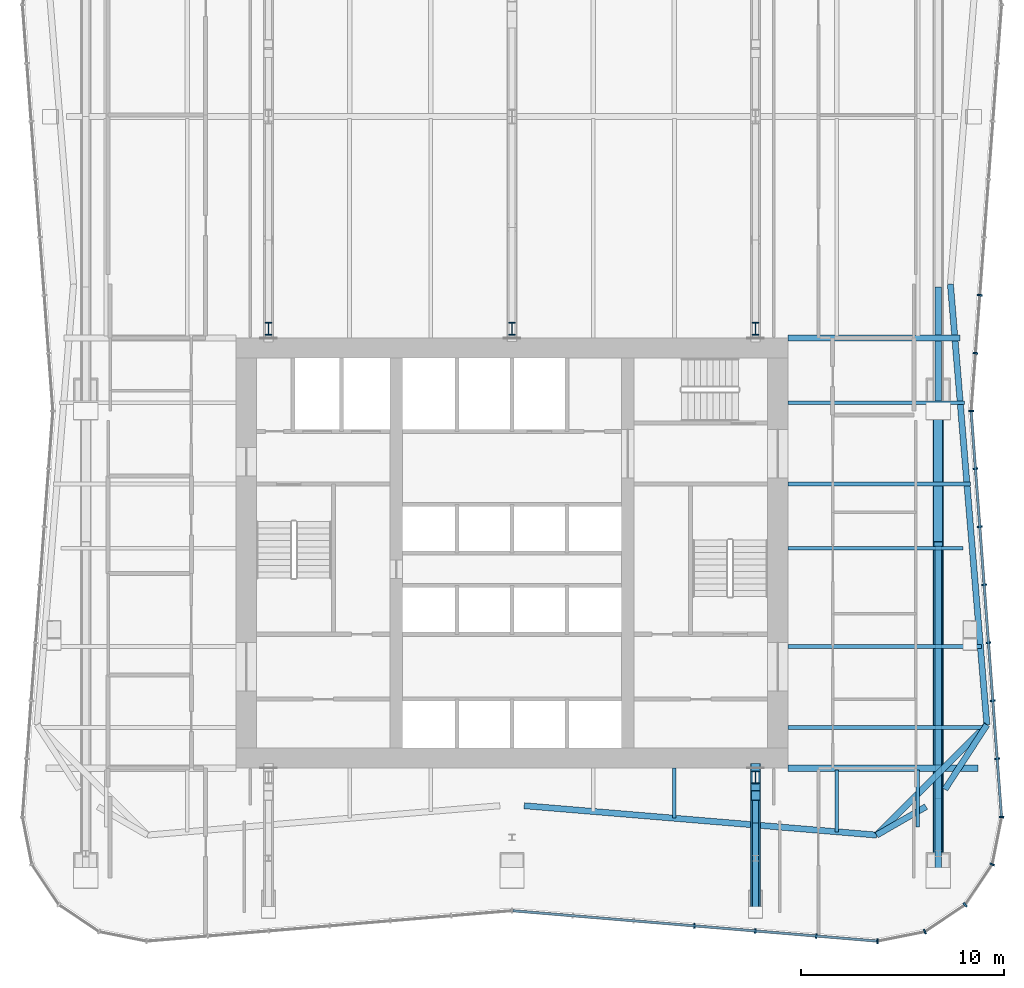
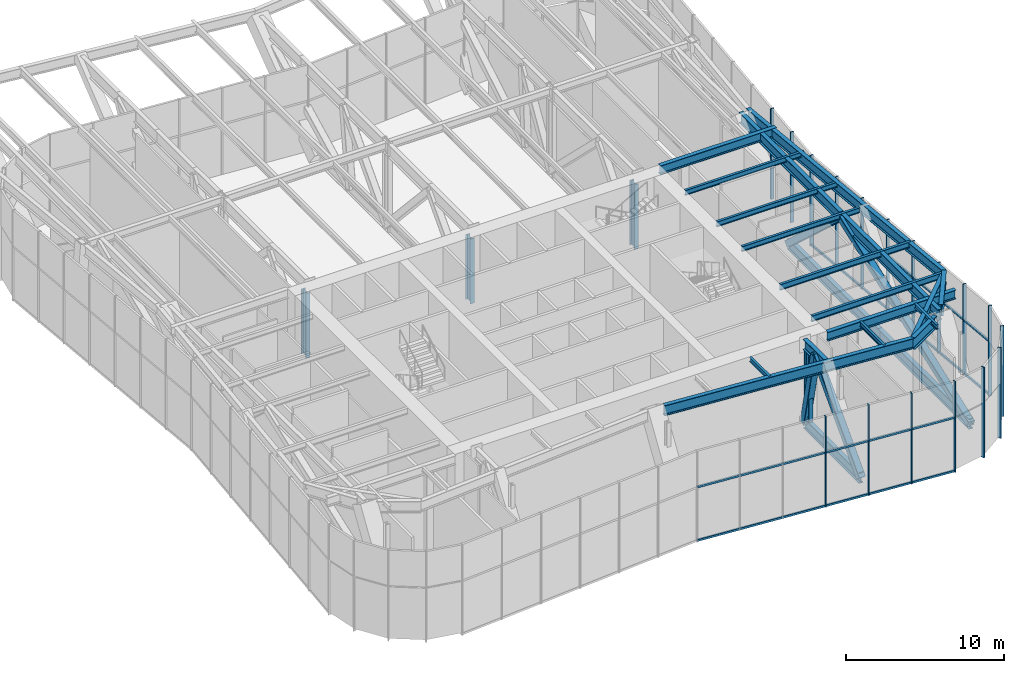
# One storey, part 5 of 16: 35 members, 15 beams, 3 elements without a shape of their own.
"""IFC4 building model written with IfcOpenShell, lengths in metres."""

from ifc_helpers import new_model, si_unit, direction, frame, origin, origin_2d, place, context, subcontext, project, spatial, rectangle, hollow_rectangle, i_section, extrude, material, material_profile, profile_set, type_object, element, aggregate, save


model = new_model("IFC4")

# Units and contexts
model_context = context("Model", 3, precision=1e-05, world=origin(), true_north=direction((0.0, 1.0)))
body_context = subcontext(model_context, "Body", "Model", "MODEL_VIEW")
ifc_project = project(units=[si_unit("LENGTHUNIT", "METRE"), si_unit("AREAUNIT", "SQUARE_METRE"), si_unit("VOLUMEUNIT", "CUBIC_METRE"), si_unit("PLANEANGLEUNIT", "RADIAN"), si_unit("MASSUNIT", "GRAM", prefix="KILO")], contexts=[model_context])

# Site, building, storey
site_placement = place(None, origin())
site = spatial("IfcSite", under=ifc_project, at=site_placement, CompositionType="ELEMENT")
building_placement = place(site_placement, origin())
building = spatial("IfcBuilding", under=site, at=building_placement, Name="Verdant Reach Tower", CompositionType="ELEMENT")
storey_placement = place(building_placement, frame((0.0, 0.0, 170.0)))
storey = spatial("IfcBuildingStorey", under=building, at=storey_placement, Name="L39 Plant", CompositionType="ELEMENT", Elevation=170.0)

# Curtain wall, members
ifc_material_1 = material(Name="Anodised aluminium", Category="aluminium")
curtain_wall_type = type_object("IfcCurtainWallType", Name="EN-CW SYSTEM PLANT", PredefinedType="NOTDEFINED", material=ifc_material_1)
curtain_wall_1_placement = place(storey_placement, origin())
curtain_wall_1 = element("IfcCurtainWall", 1, at=curtain_wall_1_placement, inside=storey, type_object=curtain_wall_type, Name="Curtain wall south-east corner, L39", PredefinedType="NOTDEFINED")
ifc_material_profile_1 = material_profile(ifc_material_1, rectangle(XDim=0.238037109375, YDim=0.080078125, at=origin_2d()), Name="Mullion 80x240")
ifc_profile_set_1 = profile_set([ifc_material_profile_1], Name="Anodised aluminium")
member_type_1 = type_object("IfcMemberType", Name="EN-MULLION PLANT", PredefinedType="MULLION", material=ifc_profile_set_1)
member_1_placement = place(storey_placement, frame((18.0068359375, 8.881103515625, -0.35009765625), z_axis=(0.0, 0.0, 1.0), x_axis=(0.056569187765, -0.998398681387, 0.0)))
member_1 = element("IfcMember", 2, at=member_1_placement, type_object=member_type_1, Name="Mullion south-east corner 1, L39", PredefinedType="MULLION", context=body_context, shape_type="SweptSolid", body=[
    extrude(rectangle(XDim=0.238037109375, YDim=0.080078125, at=origin_2d()), origin(), (0.0, 0.0, 1.0), 7.0),
])
member_2_placement = place(storey_placement, frame((20.341552734375, 9.3466796875, -0.35009765625), z_axis=(0.0, 0.0, 1.0), x_axis=(0.382693853776, -0.923875215753, 0.0)))
member_2 = element("IfcMember", 3, at=member_2_placement, type_object=member_type_1, Name="Mullion south-east corner 2, L39", PredefinedType="MULLION", context=body_context, shape_type="SweptSolid", body=[
    extrude(rectangle(XDim=0.238037109375, YDim=0.080078125, at=origin_2d()), origin(), (0.0, 0.0, 1.0), 7.0),
])
member_3_placement = place(storey_placement, frame((22.32666015625, 10.67333984375, -0.35009765625), z_axis=(0.0, 0.0, 1.0), x_axis=(0.707106781187, -0.707106781187, 0.0)))
member_3 = element("IfcMember", 4, at=member_3_placement, type_object=member_type_1, Name="Mullion south-east corner 3, L39", PredefinedType="MULLION", context=body_context, shape_type="SweptSolid", body=[
    extrude(rectangle(XDim=0.238037109375, YDim=0.080078125, at=origin_2d()), origin(), (0.0, 0.0, 1.0), 7.0),
])
member_4_placement = place(storey_placement, frame((23.6533203125, 12.658447265625, -0.35009765625), z_axis=(0.0, 0.0, 1.0), x_axis=(0.923875215753, -0.382693853776, 0.0)))
member_4 = element("IfcMember", 5, at=member_4_placement, type_object=member_type_1, Name="Mullion south-east corner 4, L39", PredefinedType="MULLION", context=body_context, shape_type="SweptSolid", body=[
    extrude(rectangle(XDim=0.238037109375, YDim=0.080078125, at=origin_2d()), origin(), (0.0, 0.0, 1.0), 7.0),
])
aggregate(curtain_wall_1, [member_1, member_2, member_3, member_4])

curtain_wall_2_placement = place(storey_placement, origin())
curtain_wall_2 = element("IfcCurtainWall", 6, at=curtain_wall_2_placement, inside=storey, type_object=curtain_wall_type, Name="Curtain wall east, L39", PredefinedType="NOTDEFINED")
member_5_placement = place(storey_placement, frame((24.118896484375, 14.99267578125, -0.35009765625), z_axis=(0.0, 0.0, 1.0), x_axis=(0.998155887542, -0.060702752526, 0.0)))
member_5 = element("IfcMember", 7, at=member_5_placement, type_object=member_type_1, Name="Mullion east face part 1 1, L39", PredefinedType="MULLION", context=body_context, shape_type="SweptSolid", body=[
    extrude(rectangle(XDim=0.238037109375, YDim=0.080078125, at=origin_2d()), origin(), (0.0, 0.0, 1.0), 7.0),
])
member_6_placement = place(storey_placement, frame((23.904296875, 17.865966796875, -0.35009765625), z_axis=(0.0, 0.0, 1.0), x_axis=(0.997199309888, 0.074789948245, 0.0)))
member_6 = element("IfcMember", 8, at=member_6_placement, type_object=member_type_1, Name="Mullion east face part 1 2, L39", PredefinedType="MULLION", context=body_context, shape_type="SweptSolid", body=[
    extrude(rectangle(XDim=0.238037109375, YDim=0.080078125, at=origin_2d()), origin(), (0.0, 0.0, 1.0), 7.0),
])
member_7_placement = place(storey_placement, frame((23.690185546875, 20.72314453125, -0.35009765625), z_axis=(0.0, 0.0, 1.0), x_axis=(0.997199309888, 0.074789948245, 0.0)))
member_7 = element("IfcMember", 9, at=member_7_placement, type_object=member_type_1, Name="Mullion east face part 1 3, L39", PredefinedType="MULLION", context=body_context, shape_type="SweptSolid", body=[
    extrude(rectangle(XDim=0.238037109375, YDim=0.080078125, at=origin_2d()), origin(), (0.0, 0.0, 1.0), 7.0),
])
member_8_placement = place(storey_placement, frame((23.475830078125, 23.580322265625, -0.35009765625), z_axis=(0.0, 0.0, 1.0), x_axis=(0.997199309888, 0.074789948245, 0.0)))
member_8 = element("IfcMember", 10, at=member_8_placement, type_object=member_type_1, Name="Mullion east face part 1 4, L39", PredefinedType="MULLION", context=body_context, shape_type="SweptSolid", body=[
    extrude(rectangle(XDim=0.238037109375, YDim=0.080078125, at=origin_2d()), origin(), (0.0, 0.0, 1.0), 7.0),
])
member_9_placement = place(storey_placement, frame((23.261474609375, 26.4375, -0.35009765625), z_axis=(0.0, 0.0, 1.0), x_axis=(0.997199309888, 0.074789948245, 0.0)))
member_9 = element("IfcMember", 11, at=member_9_placement, type_object=member_type_1, Name="Mullion east face part 1 5, L39", PredefinedType="MULLION", context=body_context, shape_type="SweptSolid", body=[
    extrude(rectangle(XDim=0.238037109375, YDim=0.080078125, at=origin_2d()), origin(), (0.0, 0.0, 1.0), 7.0),
])
member_10_placement = place(storey_placement, frame((23.047119140625, 29.294677734375, -0.35009765625), z_axis=(0.0, 0.0, 1.0), x_axis=(0.997199309888, 0.074789948245, 0.0)))
member_10 = element("IfcMember", 12, at=member_10_placement, type_object=member_type_1, Name="Mullion east face part 1 6, L39", PredefinedType="MULLION", context=body_context, shape_type="SweptSolid", body=[
    extrude(rectangle(XDim=0.238037109375, YDim=0.080078125, at=origin_2d()), origin(), (0.0, 0.0, 1.0), 7.0),
])
member_11_placement = place(storey_placement, frame((22.8330078125, 32.15185546875, -0.35009765625), z_axis=(0.0, 0.0, 1.0), x_axis=(0.997199309888, 0.074789948245, 0.0)))
member_11 = element("IfcMember", 13, at=member_11_placement, type_object=member_type_1, Name="Mullion east face part 1 7, L39", PredefinedType="MULLION", context=body_context, shape_type="SweptSolid", body=[
    extrude(rectangle(XDim=0.238037109375, YDim=0.080078125, at=origin_2d()), origin(), (0.0, 0.0, 1.0), 7.0),
])
member_12_placement = place(storey_placement, frame((22.618896484375, 35.0, -0.35009765625), z_axis=(0.0, 0.0, 1.0), x_axis=(1.0, 0.0, 0.0)))
member_12 = element("IfcMember", 14, at=member_12_placement, type_object=member_type_1, Name="Mullion east face part 2 1, L39", PredefinedType="MULLION", context=body_context, shape_type="SweptSolid", body=[
    extrude(rectangle(XDim=0.238037109375, YDim=0.080078125, at=origin_2d()), origin(), (0.0, 0.0, 1.0), 7.0),
])
member_13_placement = place(storey_placement, frame((22.8330078125, 37.84814453125, -0.35009765625), z_axis=(0.0, 0.0, 1.0), x_axis=(0.997199309888, -0.074789948245, 0.0)))
member_13 = element("IfcMember", 15, at=member_13_placement, type_object=member_type_1, Name="Mullion east face part 2 2, L39", PredefinedType="MULLION", context=body_context, shape_type="SweptSolid", body=[
    extrude(rectangle(XDim=0.238037109375, YDim=0.080078125, at=origin_2d()), origin(), (0.0, 0.0, 1.0), 7.0),
])
member_14_placement = place(storey_placement, frame((23.047119140625, 40.705322265625, -0.35009765625), z_axis=(0.0, 0.0, 1.0), x_axis=(0.997199309888, -0.074789948245, 0.0)))
member_14 = element("IfcMember", 16, at=member_14_placement, type_object=member_type_1, Name="Mullion east face part 2 3, L39", PredefinedType="MULLION", context=body_context, shape_type="SweptSolid", body=[
    extrude(rectangle(XDim=0.238037109375, YDim=0.080078125, at=origin_2d()), origin(), (0.0, 0.0, 1.0), 7.0),
])

curtain_wall_3_placement = place(storey_placement, origin())
curtain_wall_3 = element("IfcCurtainWall", 17, at=curtain_wall_3_placement, inside=storey, type_object=curtain_wall_type, Name="Curtain wall south, L39", PredefinedType="NOTDEFINED")
member_15_placement = place(storey_placement, frame((8.990234375, 9.63134765625, -0.35009765625), z_axis=(0.0, 0.0, 1.0), x_axis=(-0.083045479859, -0.996545758244, 0.0)))
member_15 = element("IfcMember", 18, at=member_15_placement, type_object=member_type_1, Name="Mullion south face part 2 4, L39", PredefinedType="MULLION", context=body_context, shape_type="SweptSolid", body=[
    extrude(rectangle(XDim=0.238037109375, YDim=0.080078125, at=origin_2d()), origin(), (0.0, 0.0, 1.0), 7.0),
])
member_16_placement = place(storey_placement, frame((11.990234375, 9.38134765625, -0.35009765625), z_axis=(0.0, 0.0, 1.0), x_axis=(-0.083045479859, -0.996545758244, 0.0)))
member_16 = element("IfcMember", 19, at=member_16_placement, type_object=member_type_1, Name="Mullion south face part 2 5, L39", PredefinedType="MULLION", context=body_context, shape_type="SweptSolid", body=[
    extrude(rectangle(XDim=0.238037109375, YDim=0.080078125, at=origin_2d()), origin(), (0.0, 0.0, 1.0), 7.0),
])
member_17_placement = place(storey_placement, frame((14.990234375, 9.13134765625, -0.35009765625), z_axis=(0.0, 0.0, 1.0), x_axis=(-0.083045479859, -0.996545758244, 0.0)))
member_17 = element("IfcMember", 20, at=member_17_placement, type_object=member_type_1, Name="Mullion south face part 2 6, L39", PredefinedType="MULLION", context=body_context, shape_type="SweptSolid", body=[
    extrude(rectangle(XDim=0.238037109375, YDim=0.080078125, at=origin_2d()), origin(), (0.0, 0.0, 1.0), 7.0),
])

# Member
ifc_material_profile_2 = material_profile(ifc_material_1, rectangle(XDim=0.1201171875, YDim=0.14990234375, at=origin_2d()), Name="Transom 150x120")
ifc_profile_set_2 = profile_set([ifc_material_profile_2], Name="Anodised aluminium")
member_type_2 = type_object("IfcMemberType", Name="EN-TRANSOM PLANT", PredefinedType="USERDEFINED", material=ifc_profile_set_2)
member_18_placement = place(storey_placement, frame((24.11572265625, 15.03271484375, -0.27490234375), z_axis=(-0.074744693734, 0.997202702944, 0.0), x_axis=(-0.997202702944, -0.074744693734, 0.0)))
member_18 = element("IfcMember", 21, at=member_18_placement, type_object=member_type_2, Name="Transom east face part 1 1.1, L39", ObjectType="TRANSOM", PredefinedType="USERDEFINED", context=body_context, shape_type="SweptSolid", body=[
    extrude(rectangle(XDim=0.1201171875, YDim=0.14990234375, at=origin_2d()), origin(), (0.0, 0.0, 1.0), 19.9833984375),
])

member_19_placement = place(storey_placement, frame((24.11572265625, 15.03271484375, 3.85009765625), z_axis=(-0.074744693734, 0.997202702944, 0.0), x_axis=(-0.997202702944, -0.074744693734, 0.0)))
member_19 = element("IfcMember", 22, at=member_19_placement, type_object=member_type_2, Name="Transom east face part 1 1.2, L39", ObjectType="TRANSOM", PredefinedType="USERDEFINED", context=body_context, shape_type="SweptSolid", body=[
    extrude(rectangle(XDim=0.1201171875, YDim=0.14990234375, at=origin_2d()), origin(), (0.0, 0.0, 1.0), 19.9833984375),
])

aggregate(curtain_wall_2, [member_5, member_6, member_7, member_8, member_9, member_10, member_11, member_18, member_19, member_12, member_13, member_14])

member_20_placement = place(storey_placement, frame((0.039794921875, 10.377685546875, -0.27490234375), z_axis=(0.996549220477, -0.083003922598, 0.0), x_axis=(0.083003922598, 0.996549220477, 0.0)))
member_20 = element("IfcMember", 23, at=member_20_placement, type_object=member_type_2, Name="Transom south face part 2 1.1, L39", ObjectType="TRANSOM", PredefinedType="USERDEFINED", context=body_context, shape_type="SweptSolid", body=[
    extrude(rectangle(XDim=0.1201171875, YDim=0.14990234375, at=origin_2d()), origin(), (0.0, 0.0, 1.0), 17.989013671875),
])

member_21_placement = place(storey_placement, frame((0.039794921875, 10.377685546875, 3.85009765625), z_axis=(0.996549220477, -0.083003922598, 0.0), x_axis=(0.083003922598, 0.996549220477, 0.0)))
member_21 = element("IfcMember", 24, at=member_21_placement, type_object=member_type_2, Name="Transom south face part 2 1.2, L39", ObjectType="TRANSOM", PredefinedType="USERDEFINED", context=body_context, shape_type="SweptSolid", body=[
    extrude(rectangle(XDim=0.1201171875, YDim=0.14990234375, at=origin_2d()), origin(), (0.0, 0.0, 1.0), 17.989013671875),
])

aggregate(curtain_wall_3, [member_15, member_16, member_17, member_20, member_21])

# Beams
ifc_material_2 = material(Name="Steel S355", Category="steel")
ifc_material_profile_3 = material_profile(ifc_material_2, i_section(OverallWidth=0.300048828125, OverallDepth=0.699951171875, WebThickness=0.01708984375, FlangeThickness=0.031982421875, FilletRadius=0.027099609375, at=origin_2d()), Name="HEB 700")
ifc_profile_set_3 = profile_set([ifc_material_profile_3], Name="Steel S355")
beam_type_1 = type_object("IfcBeamType", Name="ST-BEAM-HEB700", PredefinedType="BEAM", material=ifc_profile_set_3)
beam_1_placement = place(storey_placement, frame((13.60009765625, 38.60009765625, 6.52001953125), z_axis=(1.0, 0.0, 0.0), x_axis=(0.0, 1.0, 0.0)))
element("IfcBeam", 25, at=beam_1_placement, inside=storey, type_object=beam_type_1, Name="Trimmer beam, L39 Plant", PredefinedType="BEAM", context=body_context, shape_type="SweptSolid", body=[
    extrude(i_section(OverallWidth=0.300048828125, OverallDepth=0.699951171875, WebThickness=0.01708984375, FlangeThickness=0.031982421875, FilletRadius=0.027099609375, at=origin_2d()), origin(), (0.0, 0.0, 1.0), 8.481201171875),
])
beam_2_placement = place(storey_placement, frame((13.60009765625, 17.39990234375, 6.52001953125), z_axis=(1.0, 0.0, 0.0), x_axis=(0.0, 1.0, 0.0)))
element("IfcBeam", 26, at=beam_2_placement, inside=storey, type_object=beam_type_1, Name="Trimmer beam, L39 Plant", PredefinedType="BEAM", context=body_context, shape_type="SweptSolid", body=[
    extrude(i_section(OverallWidth=0.300048828125, OverallDepth=0.699951171875, WebThickness=0.01708984375, FlangeThickness=0.031982421875, FilletRadius=0.027099609375, at=origin_2d()), origin(), (0.0, 0.0, 1.0), 9.3525390625),
])
ifc_material_profile_4 = material_profile(ifc_material_2, i_section(OverallWidth=0.302001953125, OverallDepth=0.909912109375, WebThickness=0.02099609375, FlangeThickness=0.0400390625, FilletRadius=0.030029296875, at=origin_2d()), Name="HEM 900")
ifc_profile_set_4 = profile_set([ifc_material_profile_4], Name="Steel S355")
beam_type_2 = type_object("IfcBeamType", Name="ST-BEAM-HEM900", PredefinedType="BEAM", material=ifc_profile_set_4)
beam_3_placement = place(storey_placement, frame((20.39990234375, 15.505859375, 6.4150390625), z_axis=(-0.866709015809, -0.498814075498, 0.0), x_axis=(0.498814075498, -0.866709015809, 0.0)))
element("IfcBeam", 27, at=beam_3_placement, inside=storey, type_object=beam_type_2, Name="Column stub beam, L39 Plant", PredefinedType="BEAM", context=body_context, shape_type="SweptSolid", body=[
    extrude(i_section(OverallWidth=0.302001953125, OverallDepth=0.909912109375, WebThickness=0.02099609375, FlangeThickness=0.0400390625, FilletRadius=0.030029296875, at=origin_2d()), origin(), (0.0, 0.0, 1.0), 2.808349609375),
])
beam_4_placement = place(storey_placement, frame((21.329345703125, 16.35791015625, 6.4150390625), z_axis=(0.54484355114, 0.838537718163, 0.0), x_axis=(-0.838537718163, 0.54484355114, 0.0)))
element("IfcBeam", 28, at=beam_4_placement, inside=storey, type_object=beam_type_2, Name="Column stub beam, L39 Plant", PredefinedType="BEAM", context=body_context, shape_type="SweptSolid", body=[
    extrude(i_section(OverallWidth=0.302001953125, OverallDepth=0.909912109375, WebThickness=0.02099609375, FlangeThickness=0.0400390625, FilletRadius=0.030029296875, at=origin_2d()), origin(), (0.0, 0.0, 1.0), 3.793212890625),
])
ifc_material_profile_5 = material_profile(ifc_material_2, i_section(OverallWidth=0.169921875, OverallDepth=0.360107421875, WebThickness=0.008056640625, FlangeThickness=0.0126953125, FilletRadius=0.01806640625, at=origin_2d()), Name="IPE 360")
ifc_profile_set_5 = profile_set([ifc_material_profile_5], Name="Steel S355")
beam_type_3 = type_object("IfcBeamType", Name="ST-JOIST-IPE360", PredefinedType="JOIST", material=ifc_profile_set_5)
beam_5_placement = place(storey_placement, frame((8.0, 17.39990234375, 6.68994140625), z_axis=(0.0, -1.0, 0.0), x_axis=(1.0, 0.0, 0.0)))
element("IfcBeam", 29, at=beam_5_placement, inside=storey, type_object=beam_type_3, Name="Floor joist, L39 Plant", PredefinedType="JOIST", context=body_context, shape_type="SweptSolid", body=[
    extrude(i_section(OverallWidth=0.169921875, OverallDepth=0.360107421875, WebThickness=0.008056640625, FlangeThickness=0.0126953125, FilletRadius=0.01806640625, at=origin_2d()), origin(), (0.0, 0.0, 1.0), 2.464599609375),
])
beam_6_placement = place(storey_placement, frame((16.0, 17.300048828125, 6.68994140625), z_axis=(0.0, -1.0, 0.0), x_axis=(1.0, 0.0, 0.0)))
element("IfcBeam", 30, at=beam_6_placement, inside=storey, type_object=beam_type_3, Name="Floor joist, L39 Plant", PredefinedType="JOIST", context=body_context, shape_type="SweptSolid", body=[
    extrude(i_section(OverallWidth=0.169921875, OverallDepth=0.360107421875, WebThickness=0.008056640625, FlangeThickness=0.0126953125, FilletRadius=0.01806640625, at=origin_2d()), origin(), (0.0, 0.0, 1.0), 3.03125),
])
beam_7_placement = place(storey_placement, frame((20.0, 17.300048828125, 6.68994140625), z_axis=(0.0, -1.0, 0.0), x_axis=(1.0, 0.0, 0.0)))
element("IfcBeam", 31, at=beam_7_placement, inside=storey, type_object=beam_type_3, Name="Floor joist, L39 Plant", PredefinedType="JOIST", context=body_context, shape_type="SweptSolid", body=[
    extrude(i_section(OverallWidth=0.169921875, OverallDepth=0.360107421875, WebThickness=0.008056640625, FlangeThickness=0.0126953125, FilletRadius=0.01806640625, at=origin_2d()), origin(), (0.0, 0.0, 1.0), 2.79052734375),
])
ifc_material_profile_6 = material_profile(ifc_material_2, i_section(OverallWidth=0.179931640625, OverallDepth=0.39990234375, WebThickness=0.008544921875, FlangeThickness=0.013427734375, FilletRadius=0.02099609375, at=origin_2d()), Name="IPE 400")
ifc_profile_set_6 = profile_set([ifc_material_profile_6], Name="Steel S355")
beam_type_4 = type_object("IfcBeamType", Name="ST-JOIST-IPE400", PredefinedType="JOIST", material=ifc_profile_set_6)
beam_8_placement = place(storey_placement, frame((13.60009765625, 28.239990234375, 6.669921875), z_axis=(1.0, 0.0, 0.0), x_axis=(0.0, 1.0, 0.0)))
element("IfcBeam", 32, at=beam_8_placement, inside=storey, type_object=beam_type_4, Name="Floor joist, L39 Plant", PredefinedType="JOIST", context=body_context, shape_type="SweptSolid", body=[
    extrude(i_section(OverallWidth=0.179931640625, OverallDepth=0.39990234375, WebThickness=0.008544921875, FlangeThickness=0.013427734375, FilletRadius=0.02099609375, at=origin_2d()), origin(), (0.0, 0.0, 1.0), 8.62841796875),
])
beam_9_placement = place(storey_placement, frame((13.60009765625, 31.39990234375, 6.669921875), z_axis=(1.0, 0.0, 0.0), x_axis=(0.0, 1.0, 0.0)))
element("IfcBeam", 33, at=beam_9_placement, inside=storey, type_object=beam_type_4, Name="Floor joist, L39 Plant", PredefinedType="JOIST", context=body_context, shape_type="SweptSolid", body=[
    extrude(i_section(OverallWidth=0.179931640625, OverallDepth=0.39990234375, WebThickness=0.008544921875, FlangeThickness=0.013427734375, FilletRadius=0.02099609375, at=origin_2d()), origin(), (0.0, 0.0, 1.0), 8.977783203125),
])
beam_10_placement = place(storey_placement, frame((13.60009765625, 35.39990234375, 6.669921875), z_axis=(1.0, 0.0, 0.0), x_axis=(0.0, 1.0, 0.0)))
element("IfcBeam", 34, at=beam_10_placement, inside=storey, type_object=beam_type_4, Name="Floor joist, L39 Plant", PredefinedType="JOIST", context=body_context, shape_type="SweptSolid", body=[
    extrude(i_section(OverallWidth=0.179931640625, OverallDepth=0.39990234375, WebThickness=0.008544921875, FlangeThickness=0.013427734375, FilletRadius=0.02099609375, at=origin_2d()), origin(), (0.0, 0.0, 1.0), 8.701904296875),
])
ifc_material_profile_7 = material_profile(ifc_material_2, i_section(OverallWidth=0.18994140625, OverallDepth=0.449951171875, WebThickness=0.009521484375, FlangeThickness=0.0146484375, FilletRadius=0.02099609375, at=origin_2d()), Name="IPE 450")
ifc_profile_set_7 = profile_set([ifc_material_profile_7], Name="Steel S355")
beam_type_5 = type_object("IfcBeamType", Name="ST-JOIST-IPE450", PredefinedType="JOIST", material=ifc_profile_set_7)
beam_11_placement = place(storey_placement, frame((13.60009765625, 19.39990234375, 6.64501953125), z_axis=(1.0, 0.0, 0.0), x_axis=(0.0, 1.0, 0.0)))
element("IfcBeam", 35, at=beam_11_placement, inside=storey, type_object=beam_type_5, Name="Floor joist, L39 Plant", PredefinedType="JOIST", context=body_context, shape_type="SweptSolid", body=[
    extrude(i_section(OverallWidth=0.18994140625, OverallDepth=0.449951171875, WebThickness=0.009521484375, FlangeThickness=0.0146484375, FilletRadius=0.02099609375, at=origin_2d()), origin(), (0.0, 0.0, 1.0), 9.768310546875),
])
beam_12_placement = place(storey_placement, frame((13.60009765625, 23.39990234375, 6.64501953125), z_axis=(1.0, 0.0, 0.0), x_axis=(0.0, 1.0, 0.0)))
element("IfcBeam", 36, at=beam_12_placement, inside=storey, type_object=beam_type_5, Name="Floor joist, L39 Plant", PredefinedType="JOIST", context=body_context, shape_type="SweptSolid", body=[
    extrude(i_section(OverallWidth=0.18994140625, OverallDepth=0.449951171875, WebThickness=0.009521484375, FlangeThickness=0.0146484375, FilletRadius=0.02099609375, at=origin_2d()), origin(), (0.0, 0.0, 1.0), 9.529541015625),
])
ifc_material_profile_8 = material_profile(ifc_material_2, i_section(OverallWidth=0.300048828125, OverallDepth=0.800048828125, WebThickness=0.017578125, FlangeThickness=0.032958984375, FilletRadius=0.030029296875, at=origin_2d()), Name="HEB 800")
ifc_profile_set_8 = profile_set([ifc_material_profile_8], Name="Steel S355")
beam_type_6 = type_object("IfcBeamType", Name="ST-SPANDREL-HEB800", PredefinedType="SPANDREL", material=ifc_profile_set_8)
beam_13_placement = place(storey_placement, frame((17.9658203125, 14.10498046875, 6.469970703125), z_axis=(-0.996546337953, 0.083038523057, 0.0), x_axis=(-0.083038523057, -0.996546337953, 0.0)))
element("IfcBeam", 37, at=beam_13_placement, inside=storey, type_object=beam_type_6, Name="Edge beam, L39 Plant", PredefinedType="SPANDREL", context=body_context, shape_type="SweptSolid", body=[
    extrude(i_section(OverallWidth=0.300048828125, OverallDepth=0.800048828125, WebThickness=0.017578125, FlangeThickness=0.032958984375, FilletRadius=0.030029296875, at=origin_2d()), origin(), (0.0, 0.0, 1.0), 17.426025390625),
])
beam_14_placement = place(storey_placement, frame((21.60009765625, 41.25, 6.469970703125), z_axis=(0.082435210935, -0.99659642584, 0.0), x_axis=(0.99659642584, 0.082435210935, 0.0)))
element("IfcBeam", 38, at=beam_14_placement, inside=storey, type_object=beam_type_6, Name="Edge beam, L39 Plant", PredefinedType="SPANDREL", context=body_context, shape_type="SweptSolid", body=[
    extrude(i_section(OverallWidth=0.300048828125, OverallDepth=0.800048828125, WebThickness=0.017578125, FlangeThickness=0.032958984375, FilletRadius=0.030029296875, at=origin_2d()), origin(), (0.0, 0.0, 1.0), 21.78564453125),
])
ifc_material_profile_9 = material_profile(ifc_material_2, i_section(OverallWidth=0.302001953125, OverallDepth=0.909912109375, WebThickness=0.02099609375, FlangeThickness=0.0400390625, FilletRadius=0.030029296875, at=origin_2d()), Name="HEM 900")
ifc_profile_set_9 = profile_set([ifc_material_profile_9], Name="Steel S355")
beam_type_7 = type_object("IfcBeamType", Name="ST-SPANDREL-HEM900", PredefinedType="SPANDREL", material=ifc_profile_set_9)
beam_15_placement = place(storey_placement, frame((23.39599609375, 19.53857421875, 6.4150390625), z_axis=(-0.706884275642, -0.707329216738, 0.0), x_axis=(0.707329216738, -0.706884275642, 0.0)))
element("IfcBeam", 39, at=beam_15_placement, inside=storey, type_object=beam_type_7, Name="Edge beam, L39 Plant", PredefinedType="SPANDREL", context=body_context, shape_type="SweptSolid", body=[
    extrude(i_section(OverallWidth=0.302001953125, OverallDepth=0.909912109375, WebThickness=0.02099609375, FlangeThickness=0.0400390625, FilletRadius=0.030029296875, at=origin_2d()), origin(), (0.0, 0.0, 1.0), 7.681884765625),
])

# Members
ifc_material_3 = material(Name="Steel S460", Category="steel")
ifc_material_profile_10 = material_profile(ifc_material_3, hollow_rectangle(XDim=0.5, YDim=0.5, WallThickness=0.02490234375, InnerFilletRadius=0.02490234375, OuterFilletRadius=0.050048828125, at=origin_2d()), Name="RHS 500x500x25")
ifc_profile_set_10 = profile_set([ifc_material_profile_10], Name="Steel S460")
member_type_3 = type_object("IfcMemberType", Name="ST-TRUSS-BRACE-RHS500x500x25", PredefinedType="BRACE", material=ifc_profile_set_10)
member_22_placement = place(storey_placement, frame((12.0, 17.39990234375, 0.406982421875), z_axis=(0.0, -0.217522043866, 0.976055408485), x_axis=(1.0, 0.0, 0.0)))
element("IfcMember", 40, at=member_22_placement, inside=storey, type_object=member_type_3, Name="Outrigger truss E south, diagonal, L39 Plant", PredefinedType="BRACE", context=body_context, shape_type="SweptSolid", body=[
    extrude(hollow_rectangle(XDim=0.5, YDim=0.5, WallThickness=0.02490234375, InnerFilletRadius=0.02490234375, OuterFilletRadius=0.050048828125, at=origin_2d()), origin(), (0.0, 0.0, 1.0), 6.20458984375),
])
member_23_placement = place(storey_placement, frame((12.0, 16.05029296875, 6.462890625), z_axis=(0.0, -0.688245828405, -0.725477552846), x_axis=(1.0, 0.0, 0.0)))
element("IfcMember", 41, at=member_23_placement, inside=storey, type_object=member_type_3, Name="Outrigger truss E south, diagonal, L39 Plant", PredefinedType="BRACE", context=body_context, shape_type="SweptSolid", body=[
    extrude(hollow_rectangle(XDim=0.5, YDim=0.5, WallThickness=0.02490234375, InnerFilletRadius=0.02490234375, OuterFilletRadius=0.050048828125, at=origin_2d()), origin(), (0.0, 0.0, 1.0), 8.347412109375),
])
member_24_placement = place(storey_placement, frame((21.0, 12.00439453125, 0.406982421875), z_axis=(0.0, 0.937983730031, 0.346679278581), x_axis=(-1.0, 0.0, 0.0)))
element("IfcMember", 42, at=member_24_placement, inside=storey, type_object=member_type_3, Name="Transfer truss F east, diagonal, L39 Plant", PredefinedType="BRACE", context=body_context, shape_type="SweptSolid", body=[
    extrude(hollow_rectangle(XDim=0.5, YDim=0.5, WallThickness=0.02490234375, InnerFilletRadius=0.02490234375, OuterFilletRadius=0.050048828125, at=origin_2d()), origin(), (0.0, 0.0, 1.0), 17.46826171875),
])
member_25_placement = place(storey_placement, frame((21.0, 28.389404296875, 6.462890625), z_axis=(0.0, 0.737725521806, -0.675100773571), x_axis=(-1.0, 0.0, 0.0)))
element("IfcMember", 43, at=member_25_placement, inside=storey, type_object=member_type_3, Name="Transfer truss F east, diagonal, L39 Plant", PredefinedType="BRACE", context=body_context, shape_type="SweptSolid", body=[
    extrude(hollow_rectangle(XDim=0.5, YDim=0.5, WallThickness=0.02490234375, InnerFilletRadius=0.02490234375, OuterFilletRadius=0.050048828125, at=origin_2d()), origin(), (0.0, 0.0, 1.0), 8.970458984375),
])
ifc_material_profile_11 = material_profile(ifc_material_3, i_section(OverallWidth=0.302978515625, OverallDepth=0.81396484375, WebThickness=0.02099609375, FlangeThickness=0.0400390625, FilletRadius=0.030029296875, at=origin_2d()), Name="HEM 800")
ifc_profile_set_11 = profile_set([ifc_material_profile_11], Name="Steel S460")
member_type_4 = type_object("IfcMemberType", Name="ST-TRUSS-CHORD-HEM800", PredefinedType="CHORD", material=ifc_profile_set_11)
member_26_placement = place(storey_placement, frame((12.0, 17.39990234375, 6.462890625), z_axis=(0.0, -1.0, 0.0), x_axis=(1.0, 0.0, 0.0)))
element("IfcMember", 44, at=member_26_placement, inside=storey, type_object=member_type_4, Name="Outrigger truss E south, top chord, L39 Plant", PredefinedType="CHORD", context=body_context, shape_type="SweptSolid", body=[
    extrude(i_section(OverallWidth=0.302978515625, OverallDepth=0.81396484375, WebThickness=0.02099609375, FlangeThickness=0.0400390625, FilletRadius=0.030029296875, at=origin_2d()), origin(), (0.0, 0.0, 1.0), 2.69921875),
])
member_27_placement = place(storey_placement, frame((12.0, 17.39990234375, 0.406982421875), z_axis=(0.0, -1.0, 0.0), x_axis=(1.0, 0.0, 0.0)))
element("IfcMember", 45, at=member_27_placement, inside=storey, type_object=member_type_4, Name="Outrigger truss E south, bottom chord, L39 Plant", PredefinedType="CHORD", context=body_context, shape_type="SweptSolid", body=[
    extrude(i_section(OverallWidth=0.302978515625, OverallDepth=0.81396484375, WebThickness=0.02099609375, FlangeThickness=0.0400390625, FilletRadius=0.030029296875, at=origin_2d()), origin(), (0.0, 0.0, 1.0), 7.0947265625),
])
member_28_placement = place(storey_placement, frame((21.0, 15.91162109375, 6.462890625), z_axis=(0.0, 1.0, 0.0), x_axis=(-1.0, 0.0, 0.0)))
element("IfcMember", 46, at=member_28_placement, inside=storey, type_object=member_type_4, Name="Transfer truss F east, top chord, L39 Plant", PredefinedType="CHORD", context=body_context, shape_type="SweptSolid", body=[
    extrude(i_section(OverallWidth=0.302978515625, OverallDepth=0.81396484375, WebThickness=0.02099609375, FlangeThickness=0.0400390625, FilletRadius=0.030029296875, at=origin_2d()), origin(), (0.0, 0.0, 1.0), 12.477783203125),
])
member_29_placement = place(storey_placement, frame((21.0, 12.00439453125, 0.406982421875), z_axis=(0.0, 1.0, 0.0), x_axis=(-1.0, 0.0, 0.0)))
element("IfcMember", 47, at=member_29_placement, inside=storey, type_object=member_type_4, Name="Transfer truss F east, bottom chord, L39 Plant", PredefinedType="CHORD", context=body_context, shape_type="SweptSolid", body=[
    extrude(i_section(OverallWidth=0.302978515625, OverallDepth=0.81396484375, WebThickness=0.02099609375, FlangeThickness=0.0400390625, FilletRadius=0.030029296875, at=origin_2d()), origin(), (0.0, 0.0, 1.0), 11.501220703125),
])
member_30_placement = place(storey_placement, frame((21.0, 28.389404296875, 6.462890625), z_axis=(0.0, 1.0, 0.0), x_axis=(-1.0, 0.0, 0.0)))
element("IfcMember", 48, at=member_30_placement, inside=storey, type_object=member_type_4, Name="Transfer truss F east, top chord, L39 Plant", PredefinedType="CHORD", context=body_context, shape_type="SweptSolid", body=[
    extrude(i_section(OverallWidth=0.302978515625, OverallDepth=0.81396484375, WebThickness=0.02099609375, FlangeThickness=0.0400390625, FilletRadius=0.030029296875, at=origin_2d()), origin(), (0.0, 0.0, 1.0), 12.722412109375),
])
member_31_placement = place(storey_placement, frame((21.0, 23.505615234375, 0.406982421875), z_axis=(0.0, 1.0, 0.0), x_axis=(-1.0, 0.0, 0.0)))
element("IfcMember", 49, at=member_31_placement, inside=storey, type_object=member_type_4, Name="Transfer truss F east, bottom chord, L39 Plant", PredefinedType="CHORD", context=body_context, shape_type="SweptSolid", body=[
    extrude(i_section(OverallWidth=0.302978515625, OverallDepth=0.81396484375, WebThickness=0.02099609375, FlangeThickness=0.0400390625, FilletRadius=0.030029296875, at=origin_2d()), origin(), (0.0, 0.0, 1.0), 11.50146484375),
])
ifc_material_profile_12 = material_profile(ifc_material_3, i_section(OverallWidth=0.304931640625, OverallDepth=0.6201171875, WebThickness=0.02099609375, FlangeThickness=0.0400390625, FilletRadius=0.027099609375, at=origin_2d()), Name="HEM 600")
ifc_profile_set_12 = profile_set([ifc_material_profile_12], Name="Steel S460")
member_type_5 = type_object("IfcMemberType", Name="ST-TRUSS-POST-HEM600", PredefinedType="POST", material=ifc_profile_set_12)
for number, where, z_axis, x_axis, name in (
    (50, (-12.0, 39.050048828125, 0.833984375), (0.0, 0.0, 1.0), (1.0, 0.0, 0.0), "Outrigger truss C north, end post, L39 Plant"),
    (51, (0.0, 39.050048828125, 0.833984375), (0.0, 0.0, 1.0), (1.0, 0.0, 0.0), "Outrigger truss D north, end post, L39 Plant"),
    (52, (12.0, 39.050048828125, 0.833984375), (0.0, 0.0, 1.0), (1.0, 0.0, 0.0), "Outrigger truss E north, end post, L39 Plant"),
):
    element("IfcMember", number, at=place(storey_placement, frame(where, z_axis=z_axis, x_axis=x_axis)), inside=storey, type_object=member_type_5, Name=name, PredefinedType="POST", context=body_context, shape_type="SweptSolid", body=[
        extrude(i_section(OverallWidth=0.304931640625, OverallDepth=0.6201171875, WebThickness=0.02099609375, FlangeThickness=0.0400390625, FilletRadius=0.027099609375, at=origin_2d()), origin(), (0.0, 0.0, 1.0), 5.008056640625),
    ])
member_32_placement = place(storey_placement, frame((12.0, 16.949951171875, 0.833984375), z_axis=(0.0, 0.0, 1.0), x_axis=(1.0, 0.0, 0.0)))
element("IfcMember", 53, at=member_32_placement, inside=storey, type_object=member_type_5, Name="Outrigger truss E south, end post, L39 Plant", PredefinedType="POST", context=body_context, shape_type="SweptSolid", body=[
    extrude(i_section(OverallWidth=0.304931640625, OverallDepth=0.6201171875, WebThickness=0.02099609375, FlangeThickness=0.0400390625, FilletRadius=0.027099609375, at=origin_2d()), origin(), (0.0, 0.0, 1.0), 5.201904296875),
])

save(model, "model.ifc")
